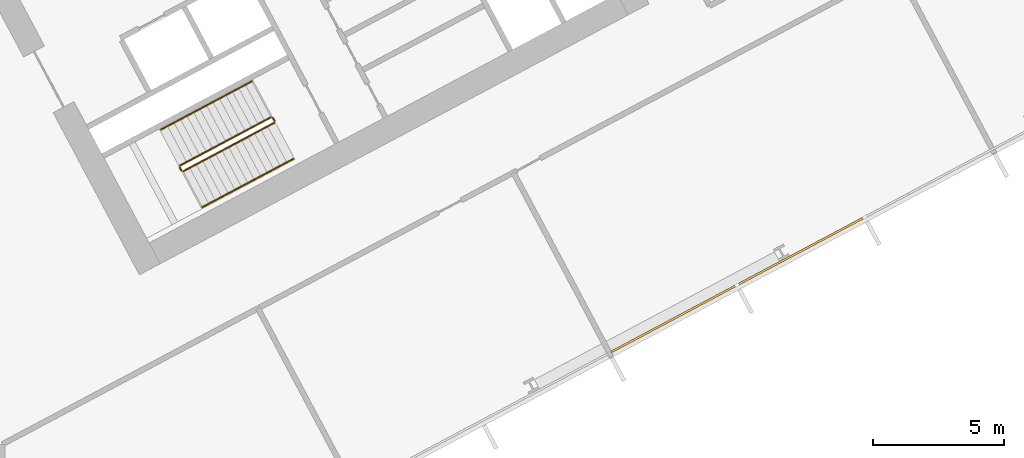
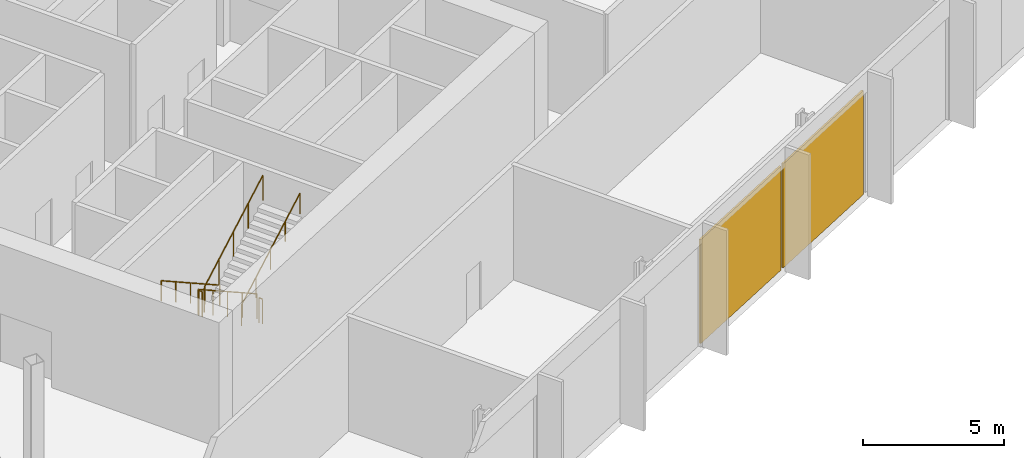
# One storey, part 27 of 32: 6 railings, 2 coverings, 1 element without a shape of its own.
"""IFC4 building model written with IfcOpenShell, lengths in metres."""

from ifc_helpers import new_model, si_unit, direction, frame, origin, origin_2d, place, context, subcontext, project, spatial, polyline, rectangle, outline, extrude, material, layer, layer_set, type_object, element, aggregate, save


model = new_model("IFC4")

# Units and contexts
model_context = context("Model", 3, precision=1e-05, world=origin(), true_north=direction((0.0, 1.0)))
body_context = subcontext(model_context, "Body", "Model", "MODEL_VIEW")
ifc_project = project(units=[si_unit("LENGTHUNIT", "METRE"), si_unit("AREAUNIT", "SQUARE_METRE"), si_unit("VOLUMEUNIT", "CUBIC_METRE"), si_unit("PLANEANGLEUNIT", "RADIAN"), si_unit("MASSUNIT", "GRAM", prefix="KILO")], contexts=[model_context])

# Site, building, storey
site_placement = place(None, origin())
site = spatial("IfcSite", under=ifc_project, at=site_placement, CompositionType="ELEMENT")
building_placement = place(site_placement, origin())
building = spatial("IfcBuilding", under=site, at=building_placement, Name="Cormorant Relay Tower", CompositionType="ELEMENT")
storey_placement = place(building_placement, frame((0.0, 0.0, 17.60009765625)))
storey = spatial("IfcBuildingStorey", under=building, at=storey_placement, Name="L03", CompositionType="ELEMENT", Elevation=17.60009765625)

# Curtain wall, coverings
ifc_material_1 = material(Name="Aluminium 6063-T6 anodised bronze", Category="aluminium")
ifc_layer_1 = layer(ifc_material_1, 0.235107421875)
ifc_layer_set_1 = layer_set([ifc_layer_1], Name="CW6 data hall curtain wall with mineral wool panels")
curtain_wall_type = type_object("IfcCurtainWallType", Name="CW6 data hall curtain wall with mineral wool panels", PredefinedType="NOTDEFINED", material=ifc_layer_set_1)
curtain_wall_placement = place(storey_placement, origin())
curtain_wall = element("IfcCurtainWall", 1, at=curtain_wall_placement, inside=storey, type_object=curtain_wall_type, Name="CW6 curtain wall 2", PredefinedType="NOTDEFINED")
ifc_material_2 = material(Name="Mineral wool cored anodised bronze aluminium cassette panel", Category="aluminium")
ifc_layer_2 = layer(ifc_material_2, 0.074951171875)
ifc_layer_set_2 = layer_set([ifc_layer_2], Name="CW6 mineral wool cassette panel 75")
covering_type = type_object("IfcCoveringType", Name="CW6 mineral wool cassette panel 75", PredefinedType="CLADDING", material=ifc_layer_set_2)
covering_1_placement = place(storey_placement, frame((39.16650390625, -3.001220703125, 0.0), z_axis=(0.0, 0.0, 1.0), x_axis=(0.882947592859, 0.469471562786, 0.0)))
covering_1 = element("IfcCovering", 2, at=covering_1_placement, type_object=covering_type, Name="CW6 panel S07", PredefinedType="CLADDING", context=body_context, shape_type="SweptSolid", body=[
    extrude(rectangle(XDim=5.36181640625, YDim=0.074951171875, at=origin_2d()), origin(), (0.0, 0.0, 1.0), 4.5),
])
covering_2_placement = place(storey_placement, frame((44.033203125, -0.41357421875, 0.0), z_axis=(0.0, 0.0, 1.0), x_axis=(0.882947592859, 0.469471562786, 0.0)))
covering_2 = element("IfcCovering", 3, at=covering_2_placement, type_object=covering_type, Name="CW6 panel S08", PredefinedType="CLADDING", context=body_context, shape_type="SweptSolid", body=[
    extrude(rectangle(XDim=5.36181640625, YDim=0.074951171875, at=origin_2d()), origin(), (0.0, 0.0, 1.0), 4.5),
])
aggregate(curtain_wall, [covering_1, covering_2])

# Railings
ifc_material_3 = material(Name="Steel ASTM A572 Grade 50 (Fy 345 MPa)", Category="steel")
railing_type_1 = type_object("IfcRailingType", Name="Stair guard 1100", PredefinedType="GUARDRAIL", material=ifc_material_3)
railing_1_placement = place(storey_placement, frame((23.83837890625, 4.6904296875, 0.179931640625)))
element("IfcRailing", 4, at=railing_1_placement, inside=storey, type_object=railing_type_1, Name="L03 B1 stair guard 1", PredefinedType="GUARDRAIL", context=body_context, shape_type="SweptSolid", body=[
    extrude(outline(polyline([(0.022216796875, 0.00927734375), (0.00927734375, 0.022216796875), (-0.00927734375, 0.022216796875), (-0.022216796875, 0.00927734375), (-0.022216796875, -0.00927734375), (-0.00927734375, -0.022216796875), (0.00927734375, -0.022216796875), (0.022216796875, -0.00927734375), (0.022216796875, 0.00927734375)])), frame((0.0, 0.0, 1.076171875), z_axis=(-0.74271721126, -0.394907409077, 0.540758062681), x_axis=(0.469469396681, -0.882948744594, 0.0)), (0.0, 0.0, 1.0), 4.66015625),
    extrude(outline(polyline([(0.019287109375, 0.008056640625), (0.008056640625, 0.019287109375), (-0.008056640625, 0.019287109375), (-0.019287109375, 0.008056640625), (-0.019287109375, -0.008056640625), (-0.008056640625, -0.019287109375), (0.008056640625, -0.019287109375), (0.019287109375, -0.008056640625), (0.019287109375, 0.008056640625)])), origin(), (0.0, 0.0, 1.0), 1.052001953125),
    extrude(outline(polyline([(0.019287109375, 0.008056640625), (0.008056640625, 0.019287109375), (-0.008056640625, 0.019287109375), (-0.019287109375, 0.008056640625), (-0.019287109375, -0.008056640625), (-0.008056640625, -0.019287109375), (0.008056640625, -0.019287109375), (0.019287109375, -0.008056640625), (0.019287109375, 0.008056640625)])), frame((-0.865234375, -0.4599609375, 0.6298828125)), (0.0, 0.0, 1.0), 1.052001953125),
    extrude(outline(polyline([(0.019287109375, 0.008056640625), (0.008056640625, 0.019287109375), (-0.008056640625, 0.019287109375), (-0.019287109375, 0.008056640625), (-0.019287109375, -0.008056640625), (-0.008056640625, -0.019287109375), (0.008056640625, -0.019287109375), (0.019287109375, -0.008056640625), (0.019287109375, 0.008056640625)])), frame((-1.73046875, -0.920166015625, 1.260009765625)), (0.0, 0.0, 1.0), 1.052001953125),
    extrude(outline(polyline([(0.019287109375, 0.008056640625), (0.008056640625, 0.019287109375), (-0.008056640625, 0.019287109375), (-0.019287109375, 0.008056640625), (-0.019287109375, -0.008056640625), (-0.008056640625, -0.019287109375), (0.008056640625, -0.019287109375), (0.019287109375, -0.008056640625), (0.019287109375, 0.008056640625)])), frame((-2.595947265625, -1.38037109375, 1.89013671875)), (0.0, 0.0, 1.0), 1.052001953125),
    extrude(outline(polyline([(0.019287109375, 0.008056640625), (0.008056640625, 0.019287109375), (-0.008056640625, 0.019287109375), (-0.019287109375, 0.008056640625), (-0.019287109375, -0.008056640625), (-0.008056640625, -0.019287109375), (0.008056640625, -0.019287109375), (0.019287109375, -0.008056640625), (0.019287109375, 0.008056640625)])), frame((-3.461181640625, -1.84033203125, 2.52001953125)), (0.0, 0.0, 1.0), 1.052001953125),
])
railing_2_placement = place(storey_placement, frame((20.3564453125, 2.782470703125, 2.699951171875)))
element("IfcRailing", 5, at=railing_2_placement, inside=storey, type_object=railing_type_1, Name="L03 B1 stair guard 2", PredefinedType="GUARDRAIL", context=body_context, shape_type="SweptSolid", body=[
    extrude(outline(polyline([(0.022216796875, 0.00927734375), (0.00927734375, 0.022216796875), (-0.00927734375, 0.022216796875), (-0.022216796875, 0.00927734375), (-0.022216796875, -0.00927734375), (-0.00927734375, -0.022216796875), (0.00927734375, -0.022216796875), (0.022216796875, -0.00927734375), (0.022216796875, 0.00927734375)])), frame((0.0, 0.0, 1.076171875), z_axis=(0.470503732759, -0.882398003998, 0.0), x_axis=(0.882398003998, 0.470503732759, 0.0)), (0.0, 0.0, 1.0), 0.14990234375),
    extrude(outline(polyline([(0.019287109375, 0.008056640625), (0.008056640625, 0.019287109375), (-0.008056640625, 0.019287109375), (-0.019287109375, 0.008056640625), (-0.019287109375, -0.008056640625), (-0.008056640625, -0.019287109375), (0.008056640625, -0.019287109375), (0.019287109375, -0.008056640625), (0.019287109375, 0.008056640625)])), origin(), (0.0, 0.0, 1.0), 1.052001953125),
    extrude(outline(polyline([(0.019287109375, 0.008056640625), (0.008056640625, 0.019287109375), (-0.008056640625, 0.019287109375), (-0.019287109375, 0.008056640625), (-0.019287109375, -0.008056640625), (-0.008056640625, -0.019287109375), (0.008056640625, -0.019287109375), (0.019287109375, -0.008056640625), (0.019287109375, 0.008056640625)])), frame((0.070556640625, -0.13232421875, 0.0)), (0.0, 0.0, 1.0), 1.052001953125),
])
railing_3_placement = place(storey_placement, frame((20.49462890625, 2.62939453125, 2.8798828125)))
element("IfcRailing", 6, at=railing_3_placement, inside=storey, type_object=railing_type_1, Name="L03 B1 stair guard 3", PredefinedType="GUARDRAIL", context=body_context, shape_type="SweptSolid", body=[
    extrude(outline(polyline([(0.022216796875, 0.00927734375), (0.00927734375, 0.022216796875), (-0.00927734375, 0.022216796875), (-0.022216796875, 0.00927734375), (-0.022216796875, -0.00927734375), (-0.00927734375, -0.022216796875), (0.00927734375, -0.022216796875), (0.022216796875, -0.00927734375), (0.022216796875, 0.00927734375)])), frame((0.0, 0.0, 1.076171875), z_axis=(0.742693720225, 0.394922775329, 0.540779104131), x_axis=(-0.469495214196, 0.882935016775, 0.0)), (0.0, 0.0, 1.0), 4.659912109375),
    extrude(outline(polyline([(0.019287109375, 0.008056640625), (0.008056640625, 0.019287109375), (-0.008056640625, 0.019287109375), (-0.019287109375, 0.008056640625), (-0.019287109375, -0.008056640625), (-0.008056640625, -0.019287109375), (0.008056640625, -0.019287109375), (0.019287109375, -0.008056640625), (0.019287109375, 0.008056640625)])), origin(), (0.0, 0.0, 1.0), 1.052001953125),
    extrude(outline(polyline([(0.019287109375, 0.008056640625), (0.008056640625, 0.019287109375), (-0.008056640625, 0.019287109375), (-0.019287109375, 0.008056640625), (-0.019287109375, -0.008056640625), (-0.008056640625, -0.019287109375), (0.008056640625, -0.019287109375), (0.019287109375, -0.008056640625), (0.019287109375, 0.008056640625)])), frame((0.865234375, 0.4599609375, 0.6298828125)), (0.0, 0.0, 1.0), 1.052001953125),
    extrude(outline(polyline([(0.019287109375, 0.008056640625), (0.008056640625, 0.019287109375), (-0.008056640625, 0.019287109375), (-0.019287109375, 0.008056640625), (-0.019287109375, -0.008056640625), (-0.008056640625, -0.019287109375), (0.008056640625, -0.019287109375), (0.019287109375, -0.008056640625), (0.019287109375, 0.008056640625)])), frame((1.73046875, 0.920166015625, 1.260009765625)), (0.0, 0.0, 1.0), 1.052001953125),
    extrude(outline(polyline([(0.019287109375, 0.008056640625), (0.008056640625, 0.019287109375), (-0.008056640625, 0.019287109375), (-0.019287109375, 0.008056640625), (-0.019287109375, -0.008056640625), (-0.008056640625, -0.019287109375), (0.008056640625, -0.019287109375), (0.019287109375, -0.008056640625), (0.019287109375, 0.008056640625)])), frame((2.595703125, 1.38037109375, 1.89013671875)), (0.0, 0.0, 1.0), 1.052001953125),
    extrude(outline(polyline([(0.019287109375, 0.008056640625), (0.008056640625, 0.019287109375), (-0.008056640625, 0.019287109375), (-0.019287109375, 0.008056640625), (-0.019287109375, -0.008056640625), (-0.008056640625, -0.019287109375), (0.008056640625, -0.019287109375), (0.019287109375, -0.008056640625), (0.019287109375, 0.008056640625)])), frame((3.4609375, 1.84033203125, 2.52001953125)), (0.0, 0.0, 1.0), 1.052001953125),
])
railing_4_placement = place(storey_placement, frame((23.906005859375, 4.669677734375, 0.0)))
element("IfcRailing", 7, at=railing_4_placement, inside=storey, type_object=railing_type_1, Name="L03 B1 stair guard 4", PredefinedType="GUARDRAIL", context=body_context, shape_type="SweptSolid", body=[
    extrude(outline(polyline([(0.022216796875, 0.00927734375), (0.00927734375, 0.022216796875), (-0.00927734375, 0.022216796875), (-0.022216796875, 0.00927734375), (-0.022216796875, -0.00927734375), (-0.00927734375, -0.022216796875), (0.00927734375, -0.022216796875), (0.022216796875, -0.00927734375), (0.022216796875, 0.00927734375)])), frame((0.0, 0.0, 1.076171875), z_axis=(0.469234640946, -0.883073525669, 0.0), x_axis=(0.883073525669, 0.469234640946, 0.0)), (0.0, 0.0, 1.0), 0.14990234375),
    extrude(outline(polyline([(0.019287109375, 0.008056640625), (0.008056640625, 0.019287109375), (-0.008056640625, 0.019287109375), (-0.019287109375, 0.008056640625), (-0.019287109375, -0.008056640625), (-0.008056640625, -0.019287109375), (0.008056640625, -0.019287109375), (0.019287109375, -0.008056640625), (0.019287109375, 0.008056640625)])), origin(), (0.0, 0.0, 1.0), 1.052001953125),
    extrude(outline(polyline([(0.019287109375, 0.008056640625), (0.008056640625, 0.019287109375), (-0.008056640625, 0.019287109375), (-0.019287109375, 0.008056640625), (-0.019287109375, -0.008056640625), (-0.008056640625, -0.019287109375), (0.008056640625, -0.019287109375), (0.019287109375, -0.008056640625), (0.019287109375, 0.008056640625)])), frame((0.0703125, -0.13232421875, 0.0)), (0.0, 0.0, 1.0), 1.052001953125),
])
ifc_material_4 = material(Name="Steel ASTM A572 Grade 50 (Fy 345 MPa)", Category="steel")
railing_type_2 = type_object("IfcRailingType", Name="Stair handrail 900", PredefinedType="HANDRAIL", material=ifc_material_4)
railing_5_placement = place(storey_placement, frame((23.110595703125, 6.05908203125, 0.179931640625)))
element("IfcRailing", 8, at=railing_5_placement, inside=storey, type_object=railing_type_2, Name="L03 B1 stair handrail 1", PredefinedType="HANDRAIL", context=body_context, shape_type="SweptSolid", body=[
    extrude(outline(polyline([(0.022216796875, 0.00927734375), (0.00927734375, 0.022216796875), (-0.00927734375, 0.022216796875), (-0.022216796875, 0.00927734375), (-0.022216796875, -0.00927734375), (-0.00927734375, -0.022216796875), (0.00927734375, -0.022216796875), (0.022216796875, -0.00927734375), (0.022216796875, 0.00927734375)])), frame((0.0, 0.0, 0.8759765625), z_axis=(-0.74271721126, -0.394907409077, 0.540758062681), x_axis=(0.469469396681, -0.882948744594, 0.0)), (0.0, 0.0, 1.0), 4.66015625),
    extrude(outline(polyline([(0.019287109375, 0.008056640625), (0.008056640625, 0.019287109375), (-0.008056640625, 0.019287109375), (-0.019287109375, 0.008056640625), (-0.019287109375, -0.008056640625), (-0.008056640625, -0.019287109375), (0.008056640625, -0.019287109375), (0.019287109375, -0.008056640625), (0.019287109375, 0.008056640625)])), origin(), (0.0, 0.0, 1.0), 0.851806640625),
    extrude(outline(polyline([(0.019287109375, 0.008056640625), (0.008056640625, 0.019287109375), (-0.008056640625, 0.019287109375), (-0.019287109375, 0.008056640625), (-0.019287109375, -0.008056640625), (-0.008056640625, -0.019287109375), (0.008056640625, -0.019287109375), (0.019287109375, -0.008056640625), (0.019287109375, 0.008056640625)])), frame((-0.865234375, -0.4599609375, 0.6298828125)), (0.0, 0.0, 1.0), 0.851806640625),
    extrude(outline(polyline([(0.019287109375, 0.008056640625), (0.008056640625, 0.019287109375), (-0.008056640625, 0.019287109375), (-0.019287109375, 0.008056640625), (-0.019287109375, -0.008056640625), (-0.008056640625, -0.019287109375), (0.008056640625, -0.019287109375), (0.019287109375, -0.008056640625), (0.019287109375, 0.008056640625)])), frame((-1.73046875, -0.920166015625, 1.260009765625)), (0.0, 0.0, 1.0), 0.851806640625),
    extrude(outline(polyline([(0.019287109375, 0.008056640625), (0.008056640625, 0.019287109375), (-0.008056640625, 0.019287109375), (-0.019287109375, 0.008056640625), (-0.019287109375, -0.008056640625), (-0.008056640625, -0.019287109375), (0.008056640625, -0.019287109375), (0.019287109375, -0.008056640625), (0.019287109375, 0.008056640625)])), frame((-2.595947265625, -1.38037109375, 1.89013671875)), (0.0, 0.0, 1.0), 0.851806640625),
    extrude(outline(polyline([(0.019287109375, 0.008056640625), (0.008056640625, 0.019287109375), (-0.008056640625, 0.019287109375), (-0.019287109375, 0.008056640625), (-0.019287109375, -0.008056640625), (-0.008056640625, -0.019287109375), (0.008056640625, -0.019287109375), (0.019287109375, -0.008056640625), (0.019287109375, 0.008056640625)])), frame((-3.461181640625, -1.84033203125, 2.52001953125)), (0.0, 0.0, 1.0), 0.851806640625),
])
railing_6_placement = place(storey_placement, frame((21.22216796875, 1.2607421875, 2.8798828125)))
element("IfcRailing", 9, at=railing_6_placement, inside=storey, type_object=railing_type_2, Name="L03 B1 stair handrail 2", PredefinedType="HANDRAIL", context=body_context, shape_type="SweptSolid", body=[
    extrude(outline(polyline([(0.022216796875, 0.00927734375), (0.00927734375, 0.022216796875), (-0.00927734375, 0.022216796875), (-0.022216796875, 0.00927734375), (-0.022216796875, -0.00927734375), (-0.00927734375, -0.022216796875), (0.00927734375, -0.022216796875), (0.022216796875, -0.00927734375), (0.022216796875, 0.00927734375)])), frame((0.0, 0.0, 0.8759765625), z_axis=(0.74271721126, 0.394907409077, 0.540758062681), x_axis=(-0.469469396681, 0.882948744594, 0.0)), (0.0, 0.0, 1.0), 4.66015625),
    extrude(outline(polyline([(0.019287109375, 0.008056640625), (0.008056640625, 0.019287109375), (-0.008056640625, 0.019287109375), (-0.019287109375, 0.008056640625), (-0.019287109375, -0.008056640625), (-0.008056640625, -0.019287109375), (0.008056640625, -0.019287109375), (0.019287109375, -0.008056640625), (0.019287109375, 0.008056640625)])), origin(), (0.0, 0.0, 1.0), 0.851806640625),
    extrude(outline(polyline([(0.019287109375, 0.008056640625), (0.008056640625, 0.019287109375), (-0.008056640625, 0.019287109375), (-0.019287109375, 0.008056640625), (-0.019287109375, -0.008056640625), (-0.008056640625, -0.019287109375), (0.008056640625, -0.019287109375), (0.019287109375, -0.008056640625), (0.019287109375, 0.008056640625)])), frame((0.865234375, 0.4599609375, 0.6298828125)), (0.0, 0.0, 1.0), 0.851806640625),
    extrude(outline(polyline([(0.019287109375, 0.008056640625), (0.008056640625, 0.019287109375), (-0.008056640625, 0.019287109375), (-0.019287109375, 0.008056640625), (-0.019287109375, -0.008056640625), (-0.008056640625, -0.019287109375), (0.008056640625, -0.019287109375), (0.019287109375, -0.008056640625), (0.019287109375, 0.008056640625)])), frame((1.73046875, 0.920166015625, 1.260009765625)), (0.0, 0.0, 1.0), 0.851806640625),
    extrude(outline(polyline([(0.019287109375, 0.008056640625), (0.008056640625, 0.019287109375), (-0.008056640625, 0.019287109375), (-0.019287109375, 0.008056640625), (-0.019287109375, -0.008056640625), (-0.008056640625, -0.019287109375), (0.008056640625, -0.019287109375), (0.019287109375, -0.008056640625), (0.019287109375, 0.008056640625)])), frame((2.595947265625, 1.38037109375, 1.89013671875)), (0.0, 0.0, 1.0), 0.851806640625),
    extrude(outline(polyline([(0.019287109375, 0.008056640625), (0.008056640625, 0.019287109375), (-0.008056640625, 0.019287109375), (-0.019287109375, 0.008056640625), (-0.019287109375, -0.008056640625), (-0.008056640625, -0.019287109375), (0.008056640625, -0.019287109375), (0.019287109375, -0.008056640625), (0.019287109375, 0.008056640625)])), frame((3.461181640625, 1.84033203125, 2.52001953125)), (0.0, 0.0, 1.0), 0.851806640625),
])

save(model, "model.ifc")
